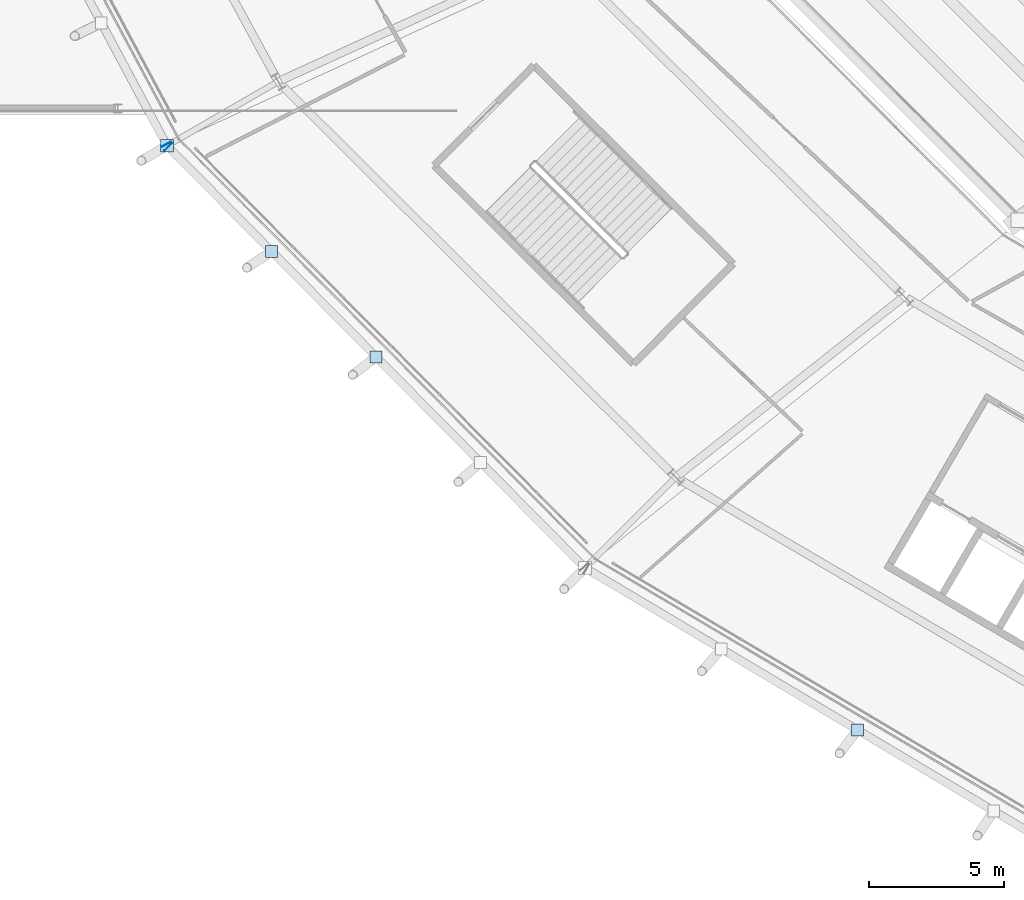
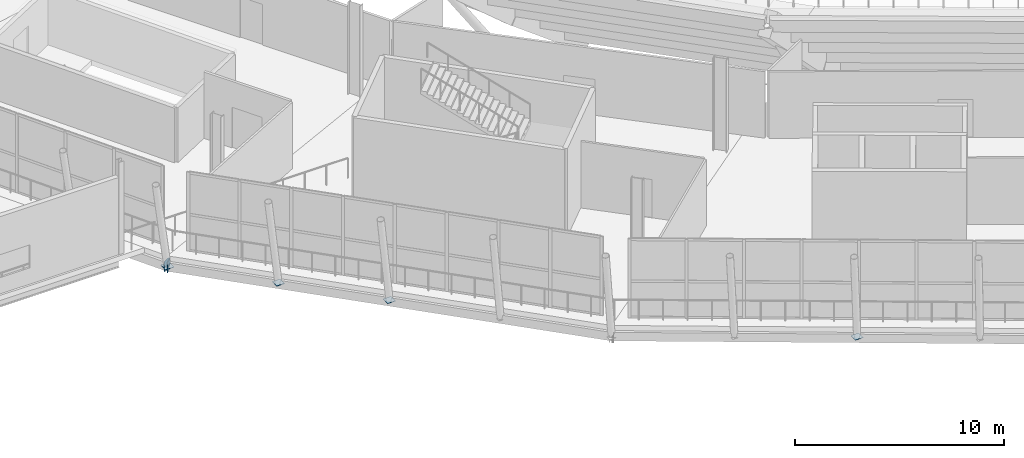
# One storey, part 74 of 126: 6 plates.
"""IFC4 building model written with IfcOpenShell, lengths in metres."""

from ifc_helpers import new_model, si_unit, direction, frame, origin, origin_2d, place, context, subcontext, project, spatial, rectangle, extrude, material, layer, layer_set, type_object, element, save


model = new_model("IFC4")

# Units and contexts
model_context = context("Model", 3, precision=1e-05, world=origin(), true_north=direction((0.0, 1.0)))
body_context = subcontext(model_context, "Body", "Model", "MODEL_VIEW")
ifc_project = project(units=[si_unit("LENGTHUNIT", "METRE"), si_unit("AREAUNIT", "SQUARE_METRE"), si_unit("VOLUMEUNIT", "CUBIC_METRE"), si_unit("PLANEANGLEUNIT", "RADIAN"), si_unit("MASSUNIT", "GRAM", prefix="KILO")], contexts=[model_context])

# Site, building, storey
site_placement = place(None, origin())
site = spatial("IfcSite", under=ifc_project, at=site_placement, CompositionType="ELEMENT")
building_placement = place(site_placement, origin())
building = spatial("IfcBuilding", under=site, at=building_placement, Name="Zlatoyarsky Gate Stadium", CompositionType="ELEMENT")
storey_placement = place(building_placement, frame((0.0, 0.0, 20.800048828125)))
storey = spatial("IfcBuildingStorey", under=building, at=storey_placement, Name="L04", CompositionType="ELEMENT", Elevation=20.800048828125)

# Plates
ifc_material = material(Name="Steel S355", Category="steel")
ifc_layer = layer(ifc_material, 0.02392578125)
ifc_layer_set = layer_set([ifc_layer], Name="Steel S355")
plate_type = type_object("IfcPlateType", Name="STEEL HOLLOW CHORD SPLICE SHEET 24", PredefinedType="SHEET", material=ifc_layer_set)
for number, where, z_axis, x_axis, name in (
    (1, (26.30078125, 42.168212890625, -0.85009765625), (0.0, 0.0, 1.0), (0.471375588462, -0.881932568059, 0.0), "Hollow end cap ND-SP1 CAP-L04-SPD-13 B"),
    (2, (26.37109375, 42.072509765625, -0.85009765625), (0.0, 0.0, 1.0), (0.703590883794, -0.71060528301, 0.0), "Hollow end cap ND-SP1 CAP-L04-SPD-14 A"),
):
    element("IfcPlate", number, at=place(storey_placement, frame(where, z_axis=z_axis, x_axis=x_axis)), inside=storey, type_object=plate_type, Name=name, PredefinedType="SHEET", context=body_context, shape_type="SweptSolid", body=[
        extrude(rectangle(XDim=0.02392578125, YDim=0.39990234375, at=origin_2d()), origin(), (0.0, 0.0, 1.0), 0.60009765625),
    ])
plate_placement = place(storey_placement, frame((26.3291015625, 42.115234375, -0.612060546875), z_axis=(0.0, 0.0, 1.0), x_axis=(1.0, 0.0, 0.0)))
element("IfcPlate", 3, at=plate_placement, inside=storey, type_object=plate_type, Name="Node closure plate ND-SP1 NCAP-L04-RSTR-14", PredefinedType="SHEET", context=body_context, shape_type="SweptSolid", body=[
    extrude(rectangle(XDim=0.47998046875, YDim=0.47998046875, at=origin_2d()), origin(), (0.0, 0.0, 1.0), 0.02392578125),
])
for number, where, z_axis, x_axis, name in (
    (4, (30.21337890625, 38.192138671875, -0.56201171875), (0.0, 0.0, 1.0), (1.0, 0.0, 0.0), "Node closure plate ND-SP1 NCAP-RIB-14-1-2T"),
    (5, (34.097900390625, 34.26904296875, -0.56201171875), (0.0, 0.0, 1.0), (1.0, 0.0, 0.0), "Node closure plate ND-SP1 NCAP-RIB-14-2-2T"),
    (6, (51.990966796875, 20.402099609375, -0.56201171875), (0.0, 0.0, 1.0), (1.0, 0.0, 0.0), "Node closure plate ND-SP1 NCAP-RIB-15-2-2T"),
):
    element("IfcPlate", number, at=place(storey_placement, frame(where, z_axis=z_axis, x_axis=x_axis)), inside=storey, type_object=plate_type, Name=name, PredefinedType="SHEET", context=body_context, shape_type="SweptSolid", body=[
        extrude(rectangle(XDim=0.43994140625, YDim=0.43994140625, at=origin_2d()), origin(), (0.0, 0.0, 1.0), 0.02392578125),
    ])

save(model, "model.ifc")
